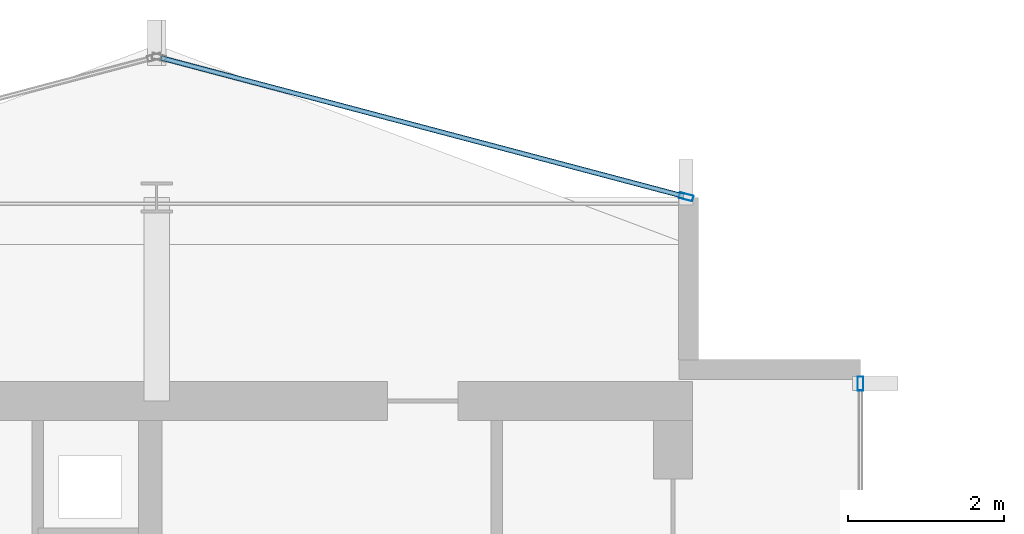
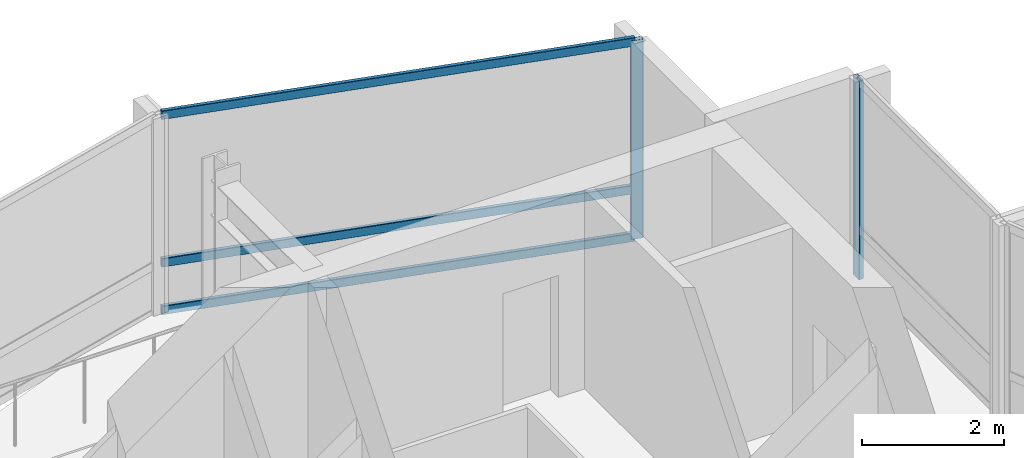
# One storey, part 18 of 28: 5 members, 2 elements without a shape of their own.
"""IFC4 building model written with IfcOpenShell, lengths in metres."""

from ifc_helpers import new_model, si_unit, direction, frame, origin, origin_2d, place, context, subcontext, project, spatial, hollow_rectangle, extrude, material, layer, layer_set, material_profile, profile_set, type_object, element, aggregate, save


model = new_model("IFC4")

# Units and contexts
model_context = context("Model", 3, precision=1e-05, world=origin(), true_north=direction((0.0, 1.0)))
body_context = subcontext(model_context, "Body", "Model", "MODEL_VIEW")
ifc_project = project(units=[si_unit("LENGTHUNIT", "METRE"), si_unit("AREAUNIT", "SQUARE_METRE"), si_unit("VOLUMEUNIT", "CUBIC_METRE"), si_unit("PLANEANGLEUNIT", "RADIAN"), si_unit("MASSUNIT", "GRAM", prefix="KILO")], contexts=[model_context])

# Site, building, storey
site_placement = place(None, origin())
site = spatial("IfcSite", under=ifc_project, at=site_placement, CompositionType="ELEMENT")
building_placement = place(site_placement, origin())
building = spatial("IfcBuilding", under=site, at=building_placement, Name="Solvaryn Broadcast Tower", CompositionType="ELEMENT")
storey_placement = place(building_placement, frame((0.0, 0.0, 217.300048828125)))
storey = spatial("IfcBuildingStorey", under=building, at=storey_placement, Name="L54", CompositionType="ELEMENT", Elevation=217.300048828125)

# Curtain wall, member
ifc_material_1 = material(Name="Aluminium and Terracotta Unitised Curtain Wall", Category="masonry")
ifc_layer = layer(ifc_material_1, 0.199951171875)
ifc_layer_set = layer_set([ifc_layer], Name="CW-SYS2-LOWMID")
curtain_wall_type = type_object("IfcCurtainWallType", Name="CW-SYS2-LOWMID", PredefinedType="NOTDEFINED", material=ifc_layer_set)
curtain_wall_1_placement = place(storey_placement, origin())
curtain_wall_1 = element("IfcCurtainWall", 1, at=curtain_wall_1_placement, inside=storey, type_object=curtain_wall_type, Name="L54 Curtain Wall IV", PredefinedType="NOTDEFINED")
ifc_material_2 = material(Name="Anodised Aluminium 6063-T6", Category="aluminium")
ifc_material_profile_1 = material_profile(ifc_material_2, hollow_rectangle(XDim=0.074951171875, YDim=0.179931640625, WallThickness=0.00390625, InnerFilletRadius=0.00390625, OuterFilletRadius=0.008056640625, at=origin_2d()))
ifc_profile_set_1 = profile_set([ifc_material_profile_1], Name="Anodised Aluminium 6063-T6")
member_type_1 = type_object("IfcMemberType", Name="CW-MUL-180", PredefinedType="MULLION", material=ifc_profile_set_1)
member_1_placement = place(storey_placement, frame((27.0, 42.6201171875, 0.0), z_axis=(0.0, 0.0, 1.0), x_axis=(1.0, 0.0, 0.0)))
member_1 = element("IfcMember", 2, at=member_1_placement, type_object=member_type_1, Name="CWS2 mullion 1", PredefinedType="MULLION", context=body_context, shape_type="SweptSolid", body=[
    extrude(hollow_rectangle(XDim=0.074951171875, YDim=0.179931640625, WallThickness=0.00390625, InnerFilletRadius=0.00390625, OuterFilletRadius=0.008056640625, at=origin_2d()), origin(), (0.0, 0.0, 1.0), 3.419921875),
])
aggregate(curtain_wall_1, [member_1])

# Curtain wall, members
curtain_wall_2_placement = place(storey_placement, origin())
curtain_wall_2 = element("IfcCurtainWall", 3, at=curtain_wall_2_placement, inside=storey, type_object=curtain_wall_type, Name="L54 Curtain Wall NT1", PredefinedType="NOTDEFINED")
member_2_placement = place(storey_placement, frame((24.77099609375, 45.007568359375, 0.0), z_axis=(0.0, 0.0, 1.0), x_axis=(-0.25589256031, -0.966705227863, 0.0)))
member_2 = element("IfcMember", 4, at=member_2_placement, type_object=member_type_1, Name="CWS2 mullion 1", PredefinedType="MULLION", context=body_context, shape_type="SweptSolid", body=[
    extrude(hollow_rectangle(XDim=0.074951171875, YDim=0.179931640625, WallThickness=0.00390625, InnerFilletRadius=0.00390625, OuterFilletRadius=0.008056640625, at=origin_2d()), origin(), (0.0, 0.0, 1.0), 3.419921875),
])
ifc_material_3 = material(Name="Anodised Aluminium 6063-T6", Category="aluminium")
ifc_material_profile_2 = material_profile(ifc_material_3, hollow_rectangle(XDim=0.06494140625, YDim=0.14990234375, WallThickness=0.00390625, InnerFilletRadius=0.00390625, OuterFilletRadius=0.008056640625, at=origin_2d()))
ifc_profile_set_2 = profile_set([ifc_material_profile_2], Name="Anodised Aluminium 6063-T6")
member_type_2 = type_object("IfcMemberType", Name="CW-TRN-150", PredefinedType="USERDEFINED", material=ifc_profile_set_2)
member_3_placement = place(storey_placement, frame((24.741943359375, 45.015380859375, 0.030029296875), z_axis=(-0.966703943301, 0.255897413051, 0.0), x_axis=(-0.255897413051, -0.966703943301, 0.0)))
member_3 = element("IfcMember", 5, at=member_3_placement, type_object=member_type_2, Name="CWS2 transom 1.1", ObjectType="TRANSOM", PredefinedType="USERDEFINED", context=body_context, shape_type="SweptSolid", body=[
    extrude(hollow_rectangle(XDim=0.06494140625, YDim=0.14990234375, WallThickness=0.00390625, InnerFilletRadius=0.00390625, OuterFilletRadius=0.008056640625, at=origin_2d()), origin(), (0.0, 0.0, 1.0), 6.9140625),
])
member_4_placement = place(storey_placement, frame((24.741943359375, 45.015380859375, 0.849853515625), z_axis=(-0.966703943301, 0.255897413051, 0.0), x_axis=(-0.255897413051, -0.966703943301, 0.0)))
member_4 = element("IfcMember", 6, at=member_4_placement, type_object=member_type_2, Name="CWS2 transom 1.2", ObjectType="TRANSOM", PredefinedType="USERDEFINED", context=body_context, shape_type="SweptSolid", body=[
    extrude(hollow_rectangle(XDim=0.06494140625, YDim=0.14990234375, WallThickness=0.00390625, InnerFilletRadius=0.00390625, OuterFilletRadius=0.008056640625, at=origin_2d()), origin(), (0.0, 0.0, 1.0), 6.9140625),
])
member_5_placement = place(storey_placement, frame((24.741943359375, 45.015380859375, 3.389892578125), z_axis=(-0.966703943301, 0.255897413051, 0.0), x_axis=(-0.255897413051, -0.966703943301, 0.0)))
member_5 = element("IfcMember", 7, at=member_5_placement, type_object=member_type_2, Name="CWS2 transom 1.3", ObjectType="TRANSOM", PredefinedType="USERDEFINED", context=body_context, shape_type="SweptSolid", body=[
    extrude(hollow_rectangle(XDim=0.06494140625, YDim=0.14990234375, WallThickness=0.00390625, InnerFilletRadius=0.00390625, OuterFilletRadius=0.008056640625, at=origin_2d()), origin(), (0.0, 0.0, 1.0), 6.9140625),
])
aggregate(curtain_wall_2, [member_2, member_3, member_4, member_5])

save(model, "model.ifc")
